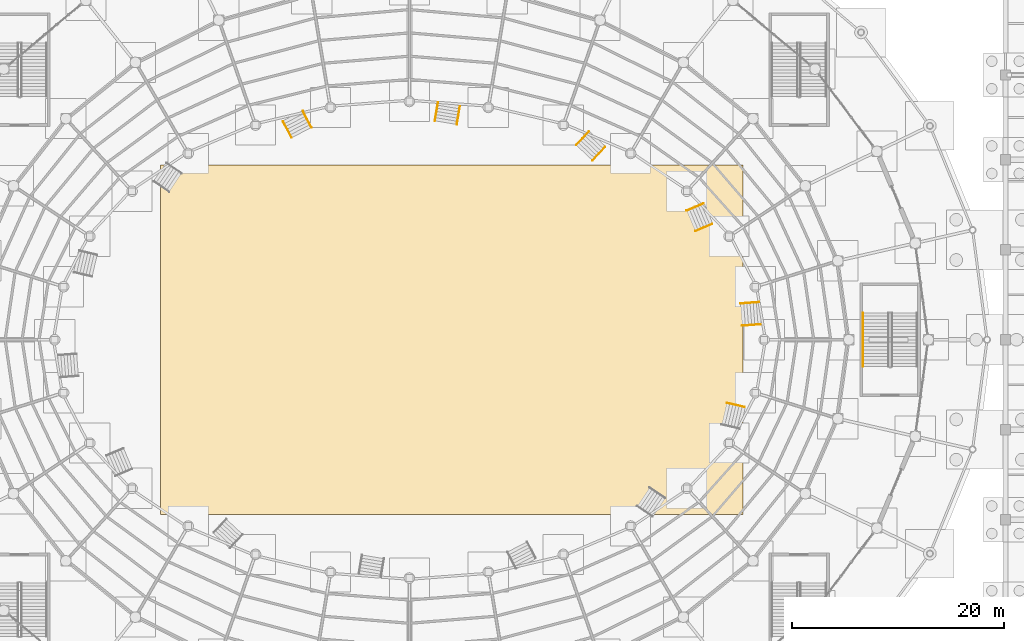
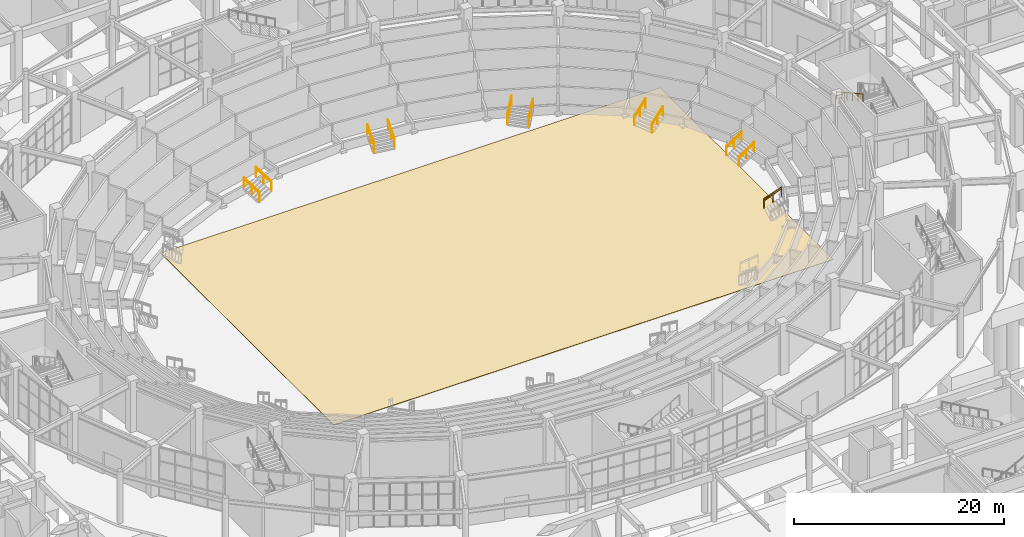
# One storey, part 111 of 121: 23 railings, 1 covering.
"""IFC4 building model written with IfcOpenShell, lengths in metres."""

from ifc_helpers import new_model, si_unit, direction, frame, origin, origin_2d, place, context, subcontext, project, spatial, polyline, circle, outline, extrude, material, layer, layer_set, type_object, element, save


model = new_model("IFC4")

# Units and contexts
model_context = context("Model", 3, precision=1e-05, world=origin(), true_north=direction((0.0, 1.0)))
body_context = subcontext(model_context, "Body", "Model", "MODEL_VIEW")
ifc_project = project(units=[si_unit("LENGTHUNIT", "METRE"), si_unit("AREAUNIT", "SQUARE_METRE"), si_unit("VOLUMEUNIT", "CUBIC_METRE"), si_unit("PLANEANGLEUNIT", "RADIAN"), si_unit("MASSUNIT", "GRAM", prefix="KILO")], contexts=[model_context])

# Site, building, storey
site_placement = place(None, origin())
site = spatial("IfcSite", under=ifc_project, at=site_placement, CompositionType="ELEMENT")
building_placement = place(site_placement, origin())
building = spatial("IfcBuilding", under=site, at=building_placement, Name="Cuetzalor Civic Arena", CompositionType="ELEMENT")
storey_placement = place(building_placement, origin())
storey = spatial("IfcBuildingStorey", under=building, at=storey_placement, Name="L00", CompositionType="ELEMENT", Elevation=0.0)

# Railings
ifc_material_1 = material(Name="Reseda-green Steel S355 and laminated glass guard", Category="steel")
railing_type_1 = type_object("IfcRailingType", Name="BowlSightlineGuard_1100", PredefinedType="BALUSTRADE", material=ifc_material_1)
for number, where, name in (
    (1, (31.265869140625, 3.419189453125, 0.17138671875), "Vomitory Stair VST-01 Guard L"),
    (2, (31.42431640625, 1.3251953125, 0.17138671875), "Vomitory Stair VST-01 Guard R"),
):
    element("IfcRailing", number, at=place(storey_placement, frame(where)), inside=storey, type_object=railing_type_1, Name=name, PredefinedType="BALUSTRADE", context=body_context, shape_type="SweptSolid", body=[
        extrude(circle(Radius=0.02392578125, at=origin_2d()), frame((0.0, 0.0, 1.076171875), z_axis=(0.858371745723, 0.06486710209, 0.508910802805), x_axis=(-0.075355077729, 0.997156764135, 0.0)), (0.0, 0.0, 1.0), 2.02099609375),
        extrude(circle(Radius=0.02099609375, at=origin_2d()), origin(), (0.0, 0.0, 1.0), 1.052001953125),
        extrude(circle(Radius=0.02099609375, at=origin_2d()), frame((0.867431640625, 0.0654296875, 0.51416015625)), (0.0, 0.0, 1.0), 1.052001953125),
        extrude(circle(Radius=0.02099609375, at=origin_2d()), frame((1.73486328125, 0.131103515625, 1.028564453125)), (0.0, 0.0, 1.0), 1.052001953125),
    ])
railing_1_placement = place(storey_placement, frame((26.175537109375, 12.186279296875, 0.17138671875)))
element("IfcRailing", 3, at=railing_1_placement, inside=storey, type_object=railing_type_1, Name="Vomitory Stair VST-02 Guard L", PredefinedType="BALUSTRADE", context=body_context, shape_type="SweptSolid", body=[
    extrude(circle(Radius=0.02392578125, at=origin_2d()), frame((0.0, 0.0, 1.076171875), z_axis=(0.793145449064, 0.334674286486, 0.508835355095), x_axis=(-0.388765637578, 0.921336680611, 0.0)), (0.0, 0.0, 1.0), 2.021484375),
    extrude(circle(Radius=0.02099609375, at=origin_2d()), origin(), (0.0, 0.0, 1.0), 1.052001953125),
    extrude(circle(Radius=0.02099609375, at=origin_2d()), frame((0.8017578125, 0.33837890625, 0.51416015625)), (0.0, 0.0, 1.0), 1.052001953125),
    extrude(circle(Radius=0.02099609375, at=origin_2d()), frame((1.603271484375, 0.676513671875, 1.028564453125)), (0.0, 0.0, 1.0), 1.052001953125),
])
railing_2_placement = place(storey_placement, frame((26.9921875, 10.25146484375, 0.17138671875)))
element("IfcRailing", 4, at=railing_2_placement, inside=storey, type_object=railing_type_1, Name="Vomitory Stair VST-02 Guard R", PredefinedType="BALUSTRADE", context=body_context, shape_type="SweptSolid", body=[
    extrude(circle(Radius=0.02392578125, at=origin_2d()), frame((0.0, 0.0, 1.076171875), z_axis=(0.793100643822, 0.334706348466, 0.508884101801), x_axis=(-0.388815895985, 0.921315472045, 0.0)), (0.0, 0.0, 1.0), 2.021240234375),
    extrude(circle(Radius=0.02099609375, at=origin_2d()), origin(), (0.0, 0.0, 1.0), 1.052001953125),
    extrude(circle(Radius=0.02099609375, at=origin_2d()), frame((0.801513671875, 0.33837890625, 0.51416015625)), (0.0, 0.0, 1.0), 1.052001953125),
    extrude(circle(Radius=0.02099609375, at=origin_2d()), frame((1.60302734375, 0.676513671875, 1.028564453125)), (0.0, 0.0, 1.0), 1.052001953125),
])
railing_3_placement = place(storey_placement, frame((15.755615234375, 18.378173828125, 0.17138671875)))
element("IfcRailing", 5, at=railing_3_placement, inside=storey, type_object=railing_type_1, Name="Vomitory Stair VST-03 Guard L", PredefinedType="BALUSTRADE", context=body_context, shape_type="SweptSolid", body=[
    extrude(circle(Radius=0.02392578125, at=origin_2d()), frame((0.0, 0.0, 1.076171875), z_axis=(0.588051341462, 0.628639930355, 0.508927752995), x_axis=(-0.730289480468, 0.683137815318, 0.0)), (0.0, 0.0, 1.0), 2.02099609375),
    extrude(circle(Radius=0.02099609375, at=origin_2d()), origin(), (0.0, 0.0, 1.0), 1.052001953125),
    extrude(circle(Radius=0.02099609375, at=origin_2d()), frame((0.59423828125, 0.63525390625, 0.51416015625)), (0.0, 0.0, 1.0), 1.052001953125),
    extrude(circle(Radius=0.02099609375, at=origin_2d()), frame((1.1884765625, 1.2705078125, 1.028564453125)), (0.0, 0.0, 1.0), 1.052001953125),
])
railing_4_placement = place(storey_placement, frame((17.2890625, 16.943603515625, 0.17138671875)))
element("IfcRailing", 6, at=railing_4_placement, inside=storey, type_object=railing_type_1, Name="Vomitory Stair VST-03 Guard R", PredefinedType="BALUSTRADE", context=body_context, shape_type="SweptSolid", body=[
    extrude(circle(Radius=0.02392578125, at=origin_2d()), frame((0.0, 0.0, 1.076171875), z_axis=(0.588130359462, 0.628595274315, 0.508891600824), x_axis=(-0.730219473175, 0.683212646981, 0.0)), (0.0, 0.0, 1.0), 2.021240234375),
    extrude(circle(Radius=0.02099609375, at=origin_2d()), origin(), (0.0, 0.0, 1.0), 1.052001953125),
    extrude(circle(Radius=0.02099609375, at=origin_2d()), frame((0.59423828125, 0.63525390625, 0.51416015625)), (0.0, 0.0, 1.0), 1.052001953125),
    extrude(circle(Radius=0.02099609375, at=origin_2d()), frame((1.188720703125, 1.2705078125, 1.028564453125)), (0.0, 0.0, 1.0), 1.052001953125),
])
for number, where, name in (
    (7, (2.40380859375, 20.675537109375, 0.17138671875), "Vomitory Stair VST-04 Guard L"),
    (8, (4.474853515625, 20.328125, 0.17138671875), "Vomitory Stair VST-04 Guard R"),
):
    element("IfcRailing", number, at=place(storey_placement, frame(where)), inside=storey, type_object=railing_type_1, Name=name, PredefinedType="BALUSTRADE", context=body_context, shape_type="SweptSolid", body=[
        extrude(circle(Radius=0.02392578125, at=origin_2d()), frame((0.0, 0.0, 1.076171875), z_axis=(0.142403922363, 0.848988269967, 0.508861513924), x_axis=(-0.986222747963, 0.165422765663, 0.0)), (0.0, 0.0, 1.0), 2.021240234375),
        extrude(circle(Radius=0.02099609375, at=origin_2d()), origin(), (0.0, 0.0, 1.0), 1.052001953125),
        extrude(circle(Radius=0.02099609375, at=origin_2d()), frame((0.14404296875, 0.85791015625, 0.51416015625)), (0.0, 0.0, 1.0), 1.052001953125),
        extrude(circle(Radius=0.02099609375, at=origin_2d()), frame((0.287841796875, 1.716064453125, 1.028564453125)), (0.0, 0.0, 1.0), 1.052001953125),
    ])
railing_5_placement = place(storey_placement, frame((-11.1220703125, 19.07568359375, 0.17138671875)))
element("IfcRailing", 9, at=railing_5_placement, inside=storey, type_object=railing_type_1, Name="Vomitory Stair VST-05 Guard L", PredefinedType="BALUSTRADE", context=body_context, shape_type="SweptSolid", body=[
    extrude(circle(Radius=0.02392578125, at=origin_2d()), frame((0.0, 0.0, 1.076171875), z_axis=(-0.397771409347, 0.76341187582, 0.508900986207), x_axis=(-0.886837419241, -0.46208158569, 0.0)), (0.0, 0.0, 1.0), 2.021240234375),
    extrude(circle(Radius=0.02099609375, at=origin_2d()), origin(), (0.0, 0.0, 1.0), 1.052001953125),
    extrude(circle(Radius=0.02099609375, at=origin_2d()), frame((-0.40185546875, 0.771484375, 0.51416015625)), (0.0, 0.0, 1.0), 1.052001953125),
    extrude(circle(Radius=0.02099609375, at=origin_2d()), frame((-0.803955078125, 1.54296875, 1.028564453125)), (0.0, 0.0, 1.0), 1.052001953125),
])
railing_6_placement = place(storey_placement, frame((-9.259521484375, 20.0458984375, 0.17138671875)))
element("IfcRailing", 10, at=railing_6_placement, inside=storey, type_object=railing_type_1, Name="Vomitory Stair VST-05 Guard R", PredefinedType="BALUSTRADE", context=body_context, shape_type="SweptSolid", body=[
    extrude(circle(Radius=0.02392578125, at=origin_2d()), frame((0.0, 0.0, 1.076171875), z_axis=(-0.397836398814, 0.763425584973, 0.508829613905), x_axis=(-0.886809881546, -0.462134432813, 0.0)), (0.0, 0.0, 1.0), 2.021484375),
    extrude(circle(Radius=0.02099609375, at=origin_2d()), origin(), (0.0, 0.0, 1.0), 1.052001953125),
    extrude(circle(Radius=0.02099609375, at=origin_2d()), frame((-0.402099609375, 0.771484375, 0.51416015625)), (0.0, 0.0, 1.0), 1.052001953125),
    extrude(circle(Radius=0.02099609375, at=origin_2d()), frame((-0.80419921875, 1.543212890625, 1.028564453125)), (0.0, 0.0, 1.0), 1.052001953125),
])
railing_7_placement = place(storey_placement, frame((29.967529296875, -5.96435546875, 0.17138671875)))
element("IfcRailing", 11, at=railing_7_placement, inside=storey, type_object=railing_type_1, Name="Vomitory Stair VST-14 Guard L", PredefinedType="BALUSTRADE", context=body_context, shape_type="SweptSolid", body=[
    extrude(circle(Radius=0.02392578125, at=origin_2d()), frame((0.0, 0.0, 1.076171875), z_axis=(0.838058208316, -0.196863363533, 0.508825368444), x_axis=(0.228679612853, 0.973501738399, 0.0)), (0.0, 0.0, 1.0), 2.021484375),
    extrude(circle(Radius=0.02099609375, at=origin_2d()), origin(), (0.0, 0.0, 1.0), 1.052001953125),
    extrude(circle(Radius=0.02099609375, at=origin_2d()), frame((0.84716796875, -0.198974609375, 0.51416015625)), (0.0, 0.0, 1.0), 1.052001953125),
    extrude(circle(Radius=0.02099609375, at=origin_2d()), frame((1.694091796875, -0.39794921875, 1.028564453125)), (0.0, 0.0, 1.0), 1.052001953125),
])

# Covering
ifc_material_2 = material(Name="FIBA Grade 1 sprung maple hardwood flooring", Category="wood")
ifc_layer = layer(ifc_material_2, 0.044921875)
ifc_layer_set = layer_set([ifc_layer], Name="FIBA Grade 1 sprung maple hardwood flooring")
covering_type = type_object("IfcCoveringType", Name="SprungMapleCourtFloor_45", PredefinedType="FLOORING", material=ifc_layer_set)
covering_placement = place(storey_placement, origin())
element("IfcCovering", 12, at=covering_placement, inside=storey, type_object=covering_type, Name="Main Event Floor Sprung Hardwood", PredefinedType="FLOORING", context=body_context, shape_type="SweptSolid", body=[
    extrude(outline(polyline([(-23.5, 16.5), (31.5, 16.5), (31.5, -16.5), (-23.5, -16.5), (-23.5, 16.5)])), origin(), (0.0, 0.0, 1.0), 0.044921875),
])

# Railings
ifc_material_3 = material(Name="Galvanised steel S355", Category="steel")
railing_type_2 = type_object("IfcRailingType", Name="StairPitchHandrail_900", PredefinedType="HANDRAIL", material=ifc_material_3)
railing_8_placement = place(storey_placement, frame((42.85009765625, 2.5380859375, 3.176513671875)))
element("IfcRailing", 13, at=railing_8_placement, inside=storey, type_object=railing_type_2, Name="L00 ST-01 stair handrail 2", PredefinedType="HANDRAIL", context=body_context, shape_type="SweptSolid", body=[
    extrude(circle(Radius=0.02392578125, at=origin_2d()), frame((0.0, 0.0, 0.8759765625), z_axis=(0.0, -0.874394655587, 0.485215401941), x_axis=(1.0, 0.0, 0.0)), (0.0, 0.0, 1.0), 5.819091796875),
    extrude(circle(Radius=0.02099609375, at=origin_2d()), origin(), (0.0, 0.0, 1.0), 0.851806640625),
    extrude(circle(Radius=0.02099609375, at=origin_2d()), frame((0.0, -1.017578125, 0.564697265625)), (0.0, 0.0, 1.0), 0.851806640625),
    extrude(circle(Radius=0.02099609375, at=origin_2d()), frame((0.0, -2.03515625, 1.12939453125)), (0.0, 0.0, 1.0), 0.851806640625),
    extrude(circle(Radius=0.02099609375, at=origin_2d()), frame((0.0, -3.052978515625, 1.694091796875)), (0.0, 0.0, 1.0), 0.851806640625),
    extrude(circle(Radius=0.02099609375, at=origin_2d()), frame((0.0, -4.070556640625, 2.2587890625)), (0.0, 0.0, 1.0), 0.851806640625),
    extrude(circle(Radius=0.02099609375, at=origin_2d()), frame((0.0, -5.088134765625, 2.823486328125)), (0.0, 0.0, 1.0), 0.851806640625),
])
for number, where, name in (
    (14, (31.265869140625, 3.419189453125, 0.17138671875), "Vomitory Stair VST-01 Handrail L"),
    (15, (31.42431640625, 1.3251953125, 0.17138671875), "Vomitory Stair VST-01 Handrail R"),
):
    element("IfcRailing", number, at=place(storey_placement, frame(where)), inside=storey, type_object=railing_type_2, Name=name, PredefinedType="HANDRAIL", context=body_context, shape_type="SweptSolid", body=[
        extrude(circle(Radius=0.02392578125, at=origin_2d()), frame((0.0, 0.0, 0.8759765625), z_axis=(0.858371745723, 0.06486710209, 0.508910802805), x_axis=(-0.075355077729, 0.997156764135, 0.0)), (0.0, 0.0, 1.0), 2.02099609375),
        extrude(circle(Radius=0.02099609375, at=origin_2d()), origin(), (0.0, 0.0, 1.0), 0.851806640625),
        extrude(circle(Radius=0.02099609375, at=origin_2d()), frame((0.867431640625, 0.0654296875, 0.51416015625)), (0.0, 0.0, 1.0), 0.851806640625),
        extrude(circle(Radius=0.02099609375, at=origin_2d()), frame((1.73486328125, 0.131103515625, 1.028564453125)), (0.0, 0.0, 1.0), 0.851806640625),
    ])
railing_9_placement = place(storey_placement, frame((26.175537109375, 12.186279296875, 0.17138671875)))
element("IfcRailing", 16, at=railing_9_placement, inside=storey, type_object=railing_type_2, Name="Vomitory Stair VST-02 Handrail L", PredefinedType="HANDRAIL", context=body_context, shape_type="SweptSolid", body=[
    extrude(circle(Radius=0.02392578125, at=origin_2d()), frame((0.0, 0.0, 0.8759765625), z_axis=(0.793145449064, 0.334674286486, 0.508835355095), x_axis=(-0.388765637578, 0.921336680611, 0.0)), (0.0, 0.0, 1.0), 2.021484375),
    extrude(circle(Radius=0.02099609375, at=origin_2d()), origin(), (0.0, 0.0, 1.0), 0.851806640625),
    extrude(circle(Radius=0.02099609375, at=origin_2d()), frame((0.8017578125, 0.33837890625, 0.51416015625)), (0.0, 0.0, 1.0), 0.851806640625),
    extrude(circle(Radius=0.02099609375, at=origin_2d()), frame((1.603271484375, 0.676513671875, 1.028564453125)), (0.0, 0.0, 1.0), 0.851806640625),
])
railing_10_placement = place(storey_placement, frame((26.9921875, 10.25146484375, 0.17138671875)))
element("IfcRailing", 17, at=railing_10_placement, inside=storey, type_object=railing_type_2, Name="Vomitory Stair VST-02 Handrail R", PredefinedType="HANDRAIL", context=body_context, shape_type="SweptSolid", body=[
    extrude(circle(Radius=0.02392578125, at=origin_2d()), frame((0.0, 0.0, 0.8759765625), z_axis=(0.793100643822, 0.334706348466, 0.508884101801), x_axis=(-0.388815895985, 0.921315472045, 0.0)), (0.0, 0.0, 1.0), 2.021240234375),
    extrude(circle(Radius=0.02099609375, at=origin_2d()), origin(), (0.0, 0.0, 1.0), 0.851806640625),
    extrude(circle(Radius=0.02099609375, at=origin_2d()), frame((0.801513671875, 0.33837890625, 0.51416015625)), (0.0, 0.0, 1.0), 0.851806640625),
    extrude(circle(Radius=0.02099609375, at=origin_2d()), frame((1.60302734375, 0.676513671875, 1.028564453125)), (0.0, 0.0, 1.0), 0.851806640625),
])
railing_11_placement = place(storey_placement, frame((15.755615234375, 18.378173828125, 0.17138671875)))
element("IfcRailing", 18, at=railing_11_placement, inside=storey, type_object=railing_type_2, Name="Vomitory Stair VST-03 Handrail L", PredefinedType="HANDRAIL", context=body_context, shape_type="SweptSolid", body=[
    extrude(circle(Radius=0.02392578125, at=origin_2d()), frame((0.0, 0.0, 0.8759765625), z_axis=(0.588051341462, 0.628639930355, 0.508927752995), x_axis=(-0.730289480468, 0.683137815318, 0.0)), (0.0, 0.0, 1.0), 2.02099609375),
    extrude(circle(Radius=0.02099609375, at=origin_2d()), origin(), (0.0, 0.0, 1.0), 0.851806640625),
    extrude(circle(Radius=0.02099609375, at=origin_2d()), frame((0.59423828125, 0.63525390625, 0.51416015625)), (0.0, 0.0, 1.0), 0.851806640625),
    extrude(circle(Radius=0.02099609375, at=origin_2d()), frame((1.1884765625, 1.2705078125, 1.028564453125)), (0.0, 0.0, 1.0), 0.851806640625),
])
railing_12_placement = place(storey_placement, frame((17.2890625, 16.943603515625, 0.17138671875)))
element("IfcRailing", 19, at=railing_12_placement, inside=storey, type_object=railing_type_2, Name="Vomitory Stair VST-03 Handrail R", PredefinedType="HANDRAIL", context=body_context, shape_type="SweptSolid", body=[
    extrude(circle(Radius=0.02392578125, at=origin_2d()), frame((0.0, 0.0, 0.8759765625), z_axis=(0.588130359462, 0.628595274315, 0.508891600824), x_axis=(-0.730219473175, 0.683212646981, 0.0)), (0.0, 0.0, 1.0), 2.021240234375),
    extrude(circle(Radius=0.02099609375, at=origin_2d()), origin(), (0.0, 0.0, 1.0), 0.851806640625),
    extrude(circle(Radius=0.02099609375, at=origin_2d()), frame((0.59423828125, 0.63525390625, 0.51416015625)), (0.0, 0.0, 1.0), 0.851806640625),
    extrude(circle(Radius=0.02099609375, at=origin_2d()), frame((1.188720703125, 1.2705078125, 1.028564453125)), (0.0, 0.0, 1.0), 0.851806640625),
])
for number, where, name in (
    (20, (2.40380859375, 20.675537109375, 0.17138671875), "Vomitory Stair VST-04 Handrail L"),
    (21, (4.474853515625, 20.328125, 0.17138671875), "Vomitory Stair VST-04 Handrail R"),
):
    element("IfcRailing", number, at=place(storey_placement, frame(where)), inside=storey, type_object=railing_type_2, Name=name, PredefinedType="HANDRAIL", context=body_context, shape_type="SweptSolid", body=[
        extrude(circle(Radius=0.02392578125, at=origin_2d()), frame((0.0, 0.0, 0.8759765625), z_axis=(0.142403922363, 0.848988269967, 0.508861513924), x_axis=(-0.986222747963, 0.165422765663, 0.0)), (0.0, 0.0, 1.0), 2.021240234375),
        extrude(circle(Radius=0.02099609375, at=origin_2d()), origin(), (0.0, 0.0, 1.0), 0.851806640625),
        extrude(circle(Radius=0.02099609375, at=origin_2d()), frame((0.14404296875, 0.85791015625, 0.51416015625)), (0.0, 0.0, 1.0), 0.851806640625),
        extrude(circle(Radius=0.02099609375, at=origin_2d()), frame((0.287841796875, 1.716064453125, 1.028564453125)), (0.0, 0.0, 1.0), 0.851806640625),
    ])
railing_13_placement = place(storey_placement, frame((-11.1220703125, 19.07568359375, 0.17138671875)))
element("IfcRailing", 22, at=railing_13_placement, inside=storey, type_object=railing_type_2, Name="Vomitory Stair VST-05 Handrail L", PredefinedType="HANDRAIL", context=body_context, shape_type="SweptSolid", body=[
    extrude(circle(Radius=0.02392578125, at=origin_2d()), frame((0.0, 0.0, 0.8759765625), z_axis=(-0.397771409347, 0.76341187582, 0.508900986207), x_axis=(-0.886837419241, -0.46208158569, 0.0)), (0.0, 0.0, 1.0), 2.021240234375),
    extrude(circle(Radius=0.02099609375, at=origin_2d()), origin(), (0.0, 0.0, 1.0), 0.851806640625),
    extrude(circle(Radius=0.02099609375, at=origin_2d()), frame((-0.40185546875, 0.771484375, 0.51416015625)), (0.0, 0.0, 1.0), 0.851806640625),
    extrude(circle(Radius=0.02099609375, at=origin_2d()), frame((-0.803955078125, 1.54296875, 1.028564453125)), (0.0, 0.0, 1.0), 0.851806640625),
])
railing_14_placement = place(storey_placement, frame((-9.259521484375, 20.0458984375, 0.17138671875)))
element("IfcRailing", 23, at=railing_14_placement, inside=storey, type_object=railing_type_2, Name="Vomitory Stair VST-05 Handrail R", PredefinedType="HANDRAIL", context=body_context, shape_type="SweptSolid", body=[
    extrude(circle(Radius=0.02392578125, at=origin_2d()), frame((0.0, 0.0, 0.8759765625), z_axis=(-0.397836398814, 0.763425584973, 0.508829613905), x_axis=(-0.886809881546, -0.462134432813, 0.0)), (0.0, 0.0, 1.0), 2.021484375),
    extrude(circle(Radius=0.02099609375, at=origin_2d()), origin(), (0.0, 0.0, 1.0), 0.851806640625),
    extrude(circle(Radius=0.02099609375, at=origin_2d()), frame((-0.402099609375, 0.771484375, 0.51416015625)), (0.0, 0.0, 1.0), 0.851806640625),
    extrude(circle(Radius=0.02099609375, at=origin_2d()), frame((-0.80419921875, 1.543212890625, 1.028564453125)), (0.0, 0.0, 1.0), 0.851806640625),
])
railing_15_placement = place(storey_placement, frame((29.967529296875, -5.96435546875, 0.17138671875)))
element("IfcRailing", 24, at=railing_15_placement, inside=storey, type_object=railing_type_2, Name="Vomitory Stair VST-14 Handrail L", PredefinedType="HANDRAIL", context=body_context, shape_type="SweptSolid", body=[
    extrude(circle(Radius=0.02392578125, at=origin_2d()), frame((0.0, 0.0, 0.8759765625), z_axis=(0.838058208316, -0.196863363533, 0.508825368444), x_axis=(0.228679612853, 0.973501738399, 0.0)), (0.0, 0.0, 1.0), 2.021484375),
    extrude(circle(Radius=0.02099609375, at=origin_2d()), origin(), (0.0, 0.0, 1.0), 0.851806640625),
    extrude(circle(Radius=0.02099609375, at=origin_2d()), frame((0.84716796875, -0.198974609375, 0.51416015625)), (0.0, 0.0, 1.0), 0.851806640625),
    extrude(circle(Radius=0.02099609375, at=origin_2d()), frame((1.694091796875, -0.39794921875, 1.028564453125)), (0.0, 0.0, 1.0), 0.851806640625),
])

save(model, "model.ifc")
